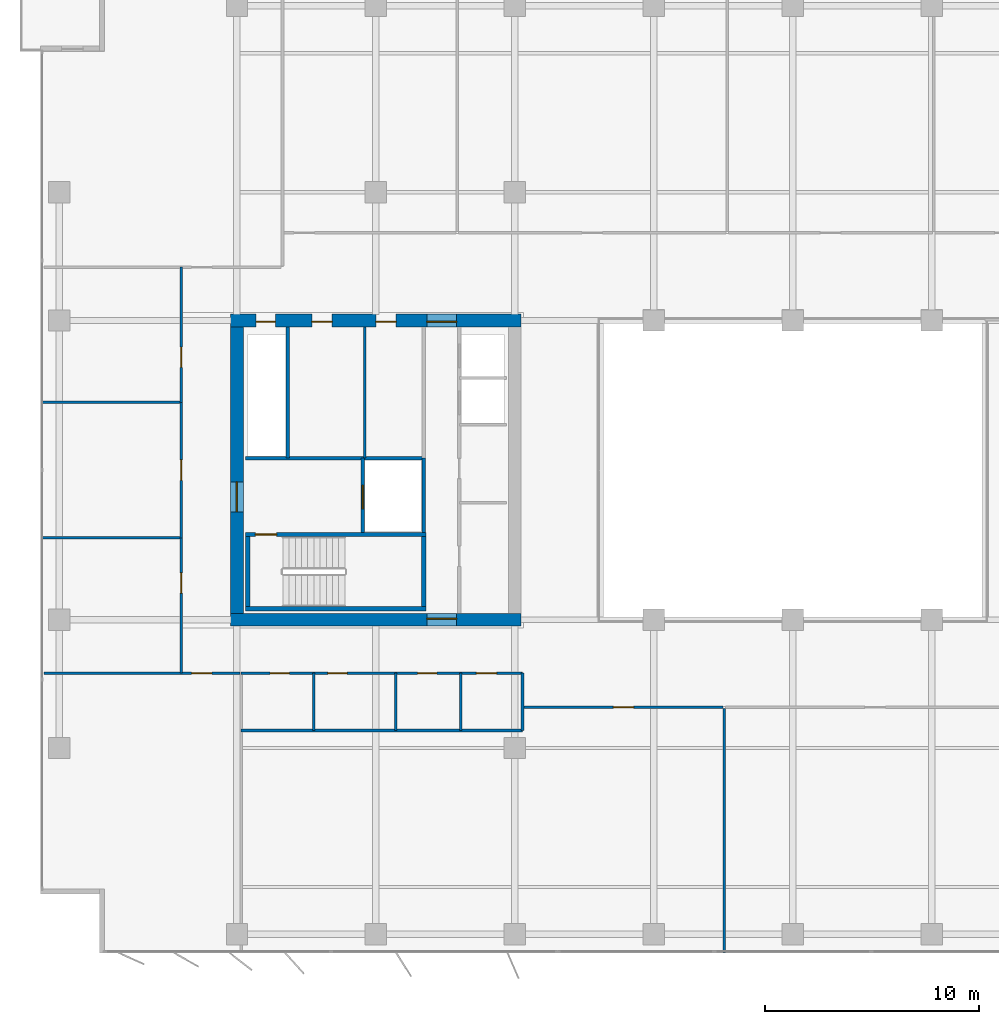
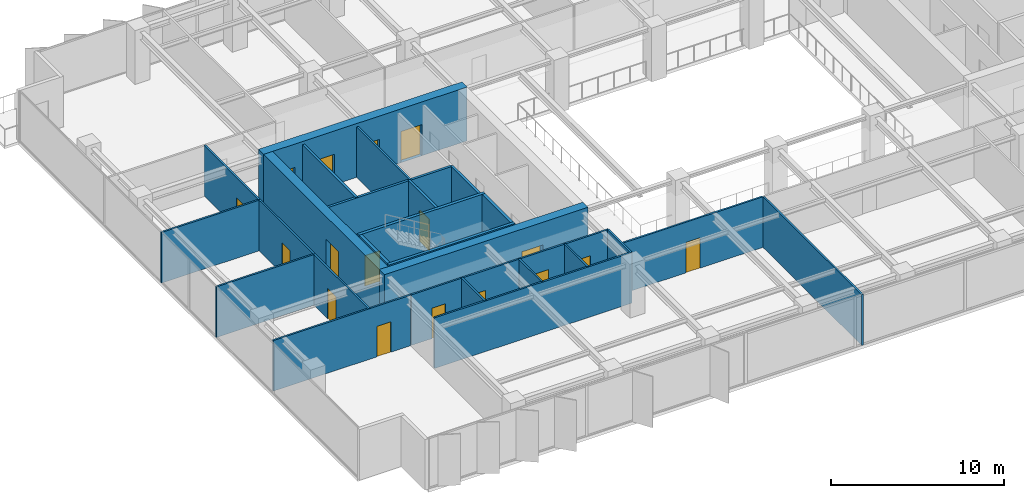
# One storey, part 15 of 22: 26 walls, 17 doors, 17 openings.
"""IFC4 building model written with IfcOpenShell, lengths in metres."""

from ifc_helpers import new_model, si_unit, direction, frame, frame_2d, origin, place, context, subcontext, project, spatial, rectangle, extrude, material, layer, layer_set, type_object, element, fill, save


model = new_model("IFC4")

# Units and contexts
model_context = context("Model", 3, precision=1e-05, world=origin(), true_north=direction((0.0, 1.0)))
body_context = subcontext(model_context, "Body", "Model", "MODEL_VIEW")
ifc_project = project(units=[si_unit("LENGTHUNIT", "METRE"), si_unit("AREAUNIT", "SQUARE_METRE"), si_unit("VOLUMEUNIT", "CUBIC_METRE"), si_unit("PLANEANGLEUNIT", "RADIAN"), si_unit("MASSUNIT", "GRAM", prefix="KILO")], contexts=[model_context])

# Site, building, storey
site_placement = place(None, origin())
site = spatial("IfcSite", under=ifc_project, at=site_placement, CompositionType="ELEMENT")
building_placement = place(site_placement, origin())
building = spatial("IfcBuilding", under=site, at=building_placement, Name="Putna Gate Headquarters", CompositionType="ELEMENT")
storey_placement = place(building_placement, frame((0.0, 0.0, 155.60009765625)))
storey = spatial("IfcBuildingStorey", under=building, at=storey_placement, Name="L38", CompositionType="ELEMENT", Elevation=155.60009765625)

# Wall, opening, door
ifc_material_1 = material(Name="Concrete C50/60", Category="concrete")
ifc_layer_1 = layer(ifc_material_1, 0.60009765625)
ifc_layer_set_1 = layer_set([ifc_layer_1], Name="Concrete C50/60")
wall_type_1 = type_object("IfcWallType", Name="WALL-CORE-600", PredefinedType="SHEAR", material=ifc_layer_set_1)
wall_1_placement = place(storey_placement, frame((12.699951171875, 19.0, 0.0), z_axis=(0.0, 0.0, 1.0), x_axis=(1.0, 0.0, 0.0)))
wall_1 = element("IfcWall", 1, at=wall_1_placement, inside=storey, type_object=wall_type_1, Name="L38 WC Split Core Shear Wall S", PredefinedType="SHEAR", context=body_context, shape_type="SweptSolid", body=[
    extrude(rectangle(XDim=13.60009765625, YDim=0.60009765625, at=frame_2d((6.800048828125, 0.0))), origin(), (0.0, 0.0, 1.0), 3.7998046875),
])
opening_1_placement = place(wall_1_placement, frame((9.179931640625, 0.0, 0.0)))
opening_1 = element("IfcOpeningElement", 2, at=opening_1_placement, cuts=wall_1, Name="Opening FDD-140", PredefinedType="OPENING", context=body_context, shape_type="SweptSolid", body=[
    extrude(rectangle(XDim=1.39990234375, YDim=2.199951171875, at=frame_2d((0.699951171875, 1.10009765625))), frame((0.0, 0.31005859375, 0.0), z_axis=(0.0, -1.0, 0.0), x_axis=(1.0, 0.0, 0.0)), (0.0, 0.0, 1.0), 0.6201171875),
])
ifc_material_2 = material(Name="Double steel fire door", Category="steel")
door_type_1 = type_object("IfcDoorType", Name="DOOR-FIRE-DBL-1400", OperationType="DOUBLE_DOOR_SINGLE_SWING", PredefinedType="DOOR", material=ifc_material_2)
door_1_placement = place(opening_1_placement, origin())
door_1 = element("IfcDoor", 3, at=door_1_placement, inside=storey, type_object=door_type_1, Name="L38 West Lift Lobby South Door", OperationType="DOUBLE_DOOR_SINGLE_SWING", OverallHeight=2.199951171875, OverallWidth=1.39990234375, PredefinedType="DOOR", context=body_context, shape_type="SweptSolid", body=[
    extrude(rectangle(XDim=1.39990234375, YDim=2.199951171875, at=frame_2d((0.699951171875, 1.10009765625))), frame((0.0, 0.0751953125, 0.0), z_axis=(0.0, -1.0, 0.0), x_axis=(1.0, 0.0, 0.0)), (0.0, 0.0, 1.0), 0.050048828125),
])
fill(opening_1, door_1)

# Wall, openings, doors
wall_2_placement = place(storey_placement, frame((12.699951171875, 33.0, 0.0), z_axis=(0.0, 0.0, 1.0), x_axis=(1.0, 0.0, 0.0)))
wall_2 = element("IfcWall", 4, at=wall_2_placement, inside=storey, type_object=wall_type_1, Name="L38 WC Split Core Shear Wall N", PredefinedType="SHEAR", context=body_context, shape_type="SweptSolid", body=[
    extrude(rectangle(XDim=13.60009765625, YDim=0.60009765625, at=frame_2d((6.800048828125, 0.0))), origin(), (0.0, 0.0, 1.0), 3.7998046875),
])
opening_2_placement = place(wall_2_placement, frame((1.199951171875, 0.0, 0.0)))
opening_2 = element("IfcOpeningElement", 5, at=opening_2_placement, cuts=wall_2, Name="Opening RD-90", PredefinedType="OPENING", context=body_context, shape_type="SweptSolid", body=[
    extrude(rectangle(XDim=0.89990234375, YDim=2.14990234375, at=frame_2d((0.449951171875, 1.074951171875))), frame((0.0, 0.31005859375, 0.0), z_axis=(0.0, -1.0, 0.0), x_axis=(1.0, 0.0, 0.0)), (0.0, 0.0, 1.0), 0.6201171875),
])
opening_3_placement = place(wall_2_placement, frame((3.800048828125, 0.0, 0.0)))
opening_3 = element("IfcOpeningElement", 6, at=opening_3_placement, cuts=wall_2, Name="Opening IDS-95", PredefinedType="OPENING", context=body_context, shape_type="SweptSolid", body=[
    extrude(rectangle(XDim=0.949951171875, YDim=2.14990234375, at=frame_2d((0.47509765625, 1.074951171875))), frame((0.0, 0.31005859375, 0.0), z_axis=(0.0, -1.0, 0.0), x_axis=(1.0, 0.0, 0.0)), (0.0, 0.0, 1.0), 0.6201171875),
])
opening_4_placement = place(wall_2_placement, frame((6.800048828125, 0.0, 0.0)))
opening_4 = element("IfcOpeningElement", 7, at=opening_4_placement, cuts=wall_2, Name="Opening IDS-95", PredefinedType="OPENING", context=body_context, shape_type="SweptSolid", body=[
    extrude(rectangle(XDim=0.949951171875, YDim=2.14990234375, at=frame_2d((0.47509765625, 1.074951171875))), frame((0.0, 0.31005859375, 0.0), z_axis=(0.0, -1.0, 0.0), x_axis=(1.0, 0.0, 0.0)), (0.0, 0.0, 1.0), 0.6201171875),
])
opening_5_placement = place(wall_2_placement, frame((9.179931640625, 0.0, 0.0)))
opening_5 = element("IfcOpeningElement", 8, at=opening_5_placement, cuts=wall_2, Name="Opening FDD-140", PredefinedType="OPENING", context=body_context, shape_type="SweptSolid", body=[
    extrude(rectangle(XDim=1.39990234375, YDim=2.199951171875, at=frame_2d((0.699951171875, 1.10009765625))), frame((0.0, 0.31005859375, 0.0), z_axis=(0.0, -1.0, 0.0), x_axis=(1.0, 0.0, 0.0)), (0.0, 0.0, 1.0), 0.6201171875),
])
door_2_placement = place(opening_5_placement, origin())
door_2 = element("IfcDoor", 9, at=door_2_placement, inside=storey, type_object=door_type_1, Name="L38 West Lift Lobby North Door", OperationType="DOUBLE_DOOR_SINGLE_SWING", OverallHeight=2.199951171875, OverallWidth=1.39990234375, PredefinedType="DOOR", context=body_context, shape_type="SweptSolid", body=[
    extrude(rectangle(XDim=1.39990234375, YDim=2.199951171875, at=frame_2d((0.699951171875, 1.10009765625))), frame((0.0, -0.02490234375, 0.0), z_axis=(0.0, -1.0, 0.0), x_axis=(1.0, 0.0, 0.0)), (0.0, 0.0, 1.0), 0.050048828125),
])
fill(opening_5, door_2)
ifc_material_3 = material(Name="Fire-rated service timber door", Category="wood")
door_type_2 = type_object("IfcDoorType", Name="DOOR-INT-950", OperationType="NOTDEFINED", PredefinedType="DOOR", material=ifc_material_3)
door_3_placement = place(opening_3_placement, origin())
door_3 = element("IfcDoor", 10, at=door_3_placement, inside=storey, type_object=door_type_2, Name="L38 Cleaner Store Door", OperationType="SINGLE_SWING_LEFT", OverallHeight=2.14990234375, OverallWidth=0.949951171875, PredefinedType="DOOR", context=body_context, shape_type="SweptSolid", body=[
    extrude(rectangle(XDim=0.949951171875, YDim=2.14990234375, at=frame_2d((0.47509765625, 1.074951171875))), frame((0.0, -0.02490234375, 0.0), z_axis=(0.0, -1.0, 0.0), x_axis=(1.0, 0.0, 0.0)), (0.0, 0.0, 1.0), 0.050048828125),
])
fill(opening_3, door_3)
door_4_placement = place(opening_4_placement, origin())
door_4 = element("IfcDoor", 11, at=door_4_placement, inside=storey, type_object=door_type_2, Name="L38 Comms Plant Door", OperationType="SINGLE_SWING_RIGHT", OverallHeight=2.14990234375, OverallWidth=0.949951171875, PredefinedType="DOOR", context=body_context, shape_type="SweptSolid", body=[
    extrude(rectangle(XDim=0.949951171875, YDim=2.14990234375, at=frame_2d((0.47509765625, 1.074951171875))), frame((0.0, -0.02490234375, 0.0), z_axis=(0.0, -1.0, 0.0), x_axis=(1.0, 0.0, 0.0)), (0.0, 0.0, 1.0), 0.050048828125),
])
fill(opening_4, door_4)
ifc_material_4 = material(Name="Steel riser access fire door", Category="steel")
door_type_3 = type_object("IfcDoorType", Name="DOOR-RISER-900", OperationType="NOTDEFINED", PredefinedType="DOOR", material=ifc_material_4)
door_5_placement = place(opening_2_placement, origin())
door_5 = element("IfcDoor", 12, at=door_5_placement, inside=storey, type_object=door_type_3, Name="L38 West Riser Access Door", OperationType="SINGLE_SWING_RIGHT", OverallHeight=2.14990234375, OverallWidth=0.89990234375, PredefinedType="DOOR", context=body_context, shape_type="SweptSolid", body=[
    extrude(rectangle(XDim=0.89990234375, YDim=2.14990234375, at=frame_2d((0.449951171875, 1.074951171875))), frame((0.0, -0.02490234375, 0.0), z_axis=(0.0, -1.0, 0.0), x_axis=(1.0, 0.0, 0.0)), (0.0, 0.0, 1.0), 0.050048828125),
])
fill(opening_2, door_5)

# Wall, opening, door
wall_3_placement = place(storey_placement, frame((13.0, 19.300048828125, 0.0), z_axis=(0.0, 0.0, 1.0), x_axis=(0.0, 1.0, 0.0)))
wall_3 = element("IfcWall", 13, at=wall_3_placement, inside=storey, type_object=wall_type_1, Name="L38 WC Split Core Shear Wall W", PredefinedType="SHEAR", context=body_context, shape_type="SweptSolid", body=[
    extrude(rectangle(XDim=13.39990234375, YDim=0.60009765625, at=frame_2d((6.699951171875, 0.0))), origin(), (0.0, 0.0, 1.0), 3.7998046875),
])
opening_6_placement = place(wall_3_placement, frame((4.75, 0.0, 0.0)))
opening_6 = element("IfcOpeningElement", 14, at=opening_6_placement, cuts=wall_3, Name="Opening FDD-140", PredefinedType="OPENING", context=body_context, shape_type="SweptSolid", body=[
    extrude(rectangle(XDim=1.39990234375, YDim=2.199951171875, at=frame_2d((0.699951171875, 1.10009765625))), frame((0.0, 0.31005859375, 0.0), z_axis=(0.0, -1.0, 0.0), x_axis=(1.0, 0.0, 0.0)), (0.0, 0.0, 1.0), 0.6201171875),
])
door_6_placement = place(opening_6_placement, origin())
door_6 = element("IfcDoor", 15, at=door_6_placement, inside=storey, type_object=door_type_1, Name="L38 West Firefighting Lobby Door", OperationType="DOUBLE_DOOR_SINGLE_SWING", OverallHeight=2.199951171875, OverallWidth=1.39990234375, PredefinedType="DOOR", context=body_context, shape_type="SweptSolid", body=[
    extrude(rectangle(XDim=1.39990234375, YDim=2.199951171875, at=frame_2d((0.699951171875, 1.10009765625))), frame((0.0, 0.02490234375, 0.0), z_axis=(0.0, -1.0, 0.0), x_axis=(1.0, 0.0, 0.0)), (0.0, 0.0, 1.0), 0.050048828125),
])
fill(opening_6, door_6)

# Walls
ifc_material_5 = material(Name="Acoustic gypsum board on metal stud")
ifc_layer_2 = layer(ifc_material_5, 0.1201171875)
ifc_layer_set_2 = layer_set([ifc_layer_2], Name="Acoustic gypsum board on metal stud")
wall_type_2 = type_object("IfcWallType", Name="WALL-PART-120", PredefinedType="PARTITIONING", material=ifc_layer_set_2)
wall_4_placement = place(storey_placement, frame((35.800048828125, 3.419921875, 0.0), z_axis=(0.0, 0.0, 1.0), x_axis=(0.0, 1.0, 0.0)))
element("IfcWall", 16, at=wall_4_placement, inside=storey, type_object=wall_type_2, Name="L38 Interior Wall PART-L38-SB-DIV-02", PredefinedType="PARTITIONING", context=body_context, shape_type="SweptSolid", body=[
    extrude(rectangle(XDim=11.420166015625, YDim=0.1201171875, at=frame_2d((5.7099609375, 0.0))), origin(), (0.0, 0.0, 1.0), 3.572021484375),
])
for number, where, z_axis, x_axis, name in (
    (17, (3.820068359375, 22.833251953125, 0.0), (0.0, 0.0, 1.0), (1.0, 0.0, 0.0), "L38 Interior Wall PART-L38-WW-DIV-1"),
    (18, (3.820068359375, 29.166748046875, 0.0), (0.0, 0.0, 1.0), (1.0, 0.0, 0.0), "L38 Interior Wall PART-L38-WW-DIV-2"),
):
    element("IfcWall", number, at=place(storey_placement, frame(where, z_axis=z_axis, x_axis=x_axis)), inside=storey, type_object=wall_type_2, Name=name, PredefinedType="PARTITIONING", context=body_context, shape_type="SweptSolid", body=[
        extrude(rectangle(XDim=6.579833984375, YDim=0.1201171875, at=frame_2d((3.2900390625, 0.0))), origin(), (0.0, 0.0, 1.0), 3.572021484375),
    ])
ifc_material_6 = material(Name="Fire-rated gypsum board on metal stud")
ifc_layer_3 = layer(ifc_material_6, 0.1201171875)
ifc_layer_set_3 = layer_set([ifc_layer_3], Name="Fire-rated gypsum board on metal stud")
wall_type_3 = type_object("IfcWallType", Name="WALL-PART-120-RATED", PredefinedType="PARTITIONING", material=ifc_layer_set_3)
wall_5_placement = place(storey_placement, frame((18.969970703125, 26.56005859375, 0.0), z_axis=(0.0, 0.0, 1.0), x_axis=(0.0, 1.0, 0.0)))
element("IfcWall", 19, at=wall_5_placement, inside=storey, type_object=wall_type_3, Name="L38 Interior Wall CWINT-L38-WC-K0-DIV", PredefinedType="PARTITIONING", context=body_context, shape_type="SweptSolid", body=[
    extrude(rectangle(XDim=6.139892578125, YDim=0.1201171875, at=frame_2d((3.06982421875, 0.0))), origin(), (0.0, 0.0, 1.0), 3.572021484375),
])

# Wall, openings, doors
wall_6_placement = place(storey_placement, frame((13.199951171875, 16.5, 0.0), z_axis=(0.0, 0.0, 1.0), x_axis=(1.0, 0.0, 0.0)))
wall_6 = element("IfcWall", 20, at=wall_6_placement, inside=storey, type_object=wall_type_3, Name="L38 Interior Wall PART-L38-SAN-CW", PredefinedType="PARTITIONING", context=body_context, shape_type="SweptSolid", body=[
    extrude(rectangle(XDim=13.16015625, YDim=0.1201171875, at=frame_2d((6.580078125, 0.0))), origin(), (0.0, 0.0, 1.0), 3.572021484375),
])
opening_7_placement = place(wall_6_placement, frame((1.35009765625, 0.0, 0.0)))
opening_7 = element("IfcOpeningElement", 21, at=opening_7_placement, cuts=wall_6, Name="Opening FD-90", PredefinedType="OPENING", context=body_context, shape_type="SweptSolid", body=[
    extrude(rectangle(XDim=0.89990234375, YDim=2.14990234375, at=frame_2d((0.449951171875, 1.074951171875))), frame((0.0, 0.070068359375, 0.0), z_axis=(0.0, -1.0, 0.0), x_axis=(1.0, 0.0, 0.0)), (0.0, 0.0, 1.0), 0.14013671875),
])
opening_8_placement = place(wall_6_placement, frame((4.050048828125, 0.0, 0.0)))
opening_8 = element("IfcOpeningElement", 22, at=opening_8_placement, cuts=wall_6, Name="Opening FD-90", PredefinedType="OPENING", context=body_context, shape_type="SweptSolid", body=[
    extrude(rectangle(XDim=0.89990234375, YDim=2.14990234375, at=frame_2d((0.449951171875, 1.074951171875))), frame((0.0, 0.070068359375, 0.0), z_axis=(0.0, -1.0, 0.0), x_axis=(1.0, 0.0, 0.0)), (0.0, 0.0, 1.0), 0.14013671875),
])
opening_9_placement = place(wall_6_placement, frame((8.25, 0.0, 0.0)))
opening_9 = element("IfcOpeningElement", 23, at=opening_9_placement, cuts=wall_6, Name="Opening FD-90", PredefinedType="OPENING", context=body_context, shape_type="SweptSolid", body=[
    extrude(rectangle(XDim=0.89990234375, YDim=2.14990234375, at=frame_2d((0.449951171875, 1.074951171875))), frame((0.0, 0.070068359375, 0.0), z_axis=(0.0, -1.0, 0.0), x_axis=(1.0, 0.0, 0.0)), (0.0, 0.0, 1.0), 0.14013671875),
])
opening_10_placement = place(wall_6_placement, frame((11.0, 0.0, 0.0)))
opening_10 = element("IfcOpeningElement", 24, at=opening_10_placement, cuts=wall_6, Name="Opening FD-95", PredefinedType="OPENING", context=body_context, shape_type="SweptSolid", body=[
    extrude(rectangle(XDim=0.949951171875, YDim=2.14990234375, at=frame_2d((0.47509765625, 1.074951171875))), frame((0.0, 0.070068359375, 0.0), z_axis=(0.0, -1.0, 0.0), x_axis=(1.0, 0.0, 0.0)), (0.0, 0.0, 1.0), 0.14013671875),
])
ifc_material_7 = material(Name="Acoustic washroom fire door")
door_type_4 = type_object("IfcDoorType", Name="DOOR-FIRE-900", OperationType="NOTDEFINED", PredefinedType="DOOR", material=ifc_material_7)
door_7_placement = place(opening_7_placement, origin())
door_7 = element("IfcDoor", 25, at=door_7_placement, inside=storey, type_object=door_type_4, Name="L38 Washroom Male Door", OperationType="SINGLE_SWING_RIGHT", OverallHeight=2.14990234375, OverallWidth=0.89990234375, PredefinedType="DOOR", context=body_context, shape_type="SweptSolid", body=[
    extrude(rectangle(XDim=0.89990234375, YDim=2.14990234375, at=frame_2d((0.449951171875, 1.074951171875))), frame((0.0, 0.02490234375, 0.0), z_axis=(0.0, -1.0, 0.0), x_axis=(1.0, 0.0, 0.0)), (0.0, 0.0, 1.0), 0.050048828125),
])
fill(opening_7, door_7)
door_8_placement = place(opening_8_placement, origin())
door_8 = element("IfcDoor", 26, at=door_8_placement, inside=storey, type_object=door_type_4, Name="L38 Washroom Female Door", OperationType="SINGLE_SWING_LEFT", OverallHeight=2.14990234375, OverallWidth=0.89990234375, PredefinedType="DOOR", context=body_context, shape_type="SweptSolid", body=[
    extrude(rectangle(XDim=0.89990234375, YDim=2.14990234375, at=frame_2d((0.449951171875, 1.074951171875))), frame((0.0, 0.02490234375, 0.0), z_axis=(0.0, -1.0, 0.0), x_axis=(1.0, 0.0, 0.0)), (0.0, 0.0, 1.0), 0.050048828125),
])
fill(opening_8, door_8)
door_9_placement = place(opening_9_placement, origin())
door_9 = element("IfcDoor", 27, at=door_9_placement, inside=storey, type_object=door_type_4, Name="L38 Accessible WC Door", OperationType="SINGLE_SWING_RIGHT", OverallHeight=2.14990234375, OverallWidth=0.89990234375, PredefinedType="DOOR", context=body_context, shape_type="SweptSolid", body=[
    extrude(rectangle(XDim=0.89990234375, YDim=2.14990234375, at=frame_2d((0.449951171875, 1.074951171875))), frame((0.0, 0.02490234375, 0.0), z_axis=(0.0, -1.0, 0.0), x_axis=(1.0, 0.0, 0.0)), (0.0, 0.0, 1.0), 0.050048828125),
])
fill(opening_9, door_9)
ifc_material_8 = material(Name="Acoustic timber fire door", Category="wood")
door_type_5 = type_object("IfcDoorType", Name="DOOR-FIRE-950", OperationType="NOTDEFINED", PredefinedType="DOOR", material=ifc_material_8)
door_10_placement = place(opening_10_placement, origin())
door_10 = element("IfcDoor", 28, at=door_10_placement, inside=storey, type_object=door_type_5, Name="L38 Staff Pantry and Tea Point Door", OperationType="SINGLE_SWING_LEFT", OverallHeight=2.14990234375, OverallWidth=0.949951171875, PredefinedType="DOOR", context=body_context, shape_type="SweptSolid", body=[
    extrude(rectangle(XDim=0.949951171875, YDim=2.14990234375, at=frame_2d((0.47509765625, 1.074951171875))), frame((0.0, 0.02490234375, 0.0), z_axis=(0.0, -1.0, 0.0), x_axis=(1.0, 0.0, 0.0)), (0.0, 0.0, 1.0), 0.050048828125),
])
fill(opening_10, door_10)

# Walls
wall_7_placement = place(storey_placement, frame((13.199951171875, 13.820068359375, 0.0), z_axis=(0.0, 0.0, 1.0), x_axis=(1.0, 0.0, 0.0)))
element("IfcWall", 29, at=wall_7_placement, inside=storey, type_object=wall_type_3, Name="L38 Interior Wall PART-L38-SAN-BACK", PredefinedType="PARTITIONING", context=body_context, shape_type="SweptSolid", body=[
    extrude(rectangle(XDim=13.16015625, YDim=0.1201171875, at=frame_2d((6.580078125, 0.0))), origin(), (0.0, 0.0, 1.0), 3.572021484375),
])
for number, where, z_axis, x_axis, name in (
    (30, (16.60009765625, 13.820068359375, 0.0), (0.0, 0.0, 1.0), (0.0, 1.0, 0.0), "L38 Interior Wall PART-L38-SAN-DIV-1"),
    (31, (20.419921875, 13.820068359375, 0.0), (0.0, 0.0, 1.0), (0.0, 1.0, 0.0), "L38 Interior Wall PART-L38-SAN-DIV-2"),
    (32, (23.4599609375, 13.820068359375, 0.0), (0.0, 0.0, 1.0), (0.0, 1.0, 0.0), "L38 Interior Wall PART-L38-SAN-DIV-3"),
    (33, (26.360107421875, 13.820068359375, 0.0), (0.0, 0.0, 1.0), (0.0, 1.0, 0.0), "L38 Interior Wall PART-L38-SAN-DIV-4"),
):
    element("IfcWall", number, at=place(storey_placement, frame(where, z_axis=z_axis, x_axis=x_axis)), inside=storey, type_object=wall_type_3, Name=name, PredefinedType="PARTITIONING", context=body_context, shape_type="SweptSolid", body=[
        extrude(rectangle(XDim=2.679931640625, YDim=0.1201171875, at=frame_2d((1.33984375, 0.0))), origin(), (0.0, 0.0, 1.0), 3.572021484375),
    ])

# Wall, opening, door
wall_8_placement = place(storey_placement, frame((3.97998046875, 16.5, 0.0), z_axis=(0.0, 0.0, 1.0), x_axis=(1.0, 0.0, 0.0)))
wall_8 = element("IfcWall", 34, at=wall_8_placement, inside=storey, type_object=wall_type_3, Name="L38 Interior Wall PART-L38-SB-CW-01", PredefinedType="PARTITIONING", context=body_context, shape_type="SweptSolid", body=[
    extrude(rectangle(XDim=9.159912109375, YDim=0.1201171875, at=frame_2d((4.580078125, 0.0))), origin(), (0.0, 0.0, 1.0), 3.572021484375),
])
opening_11_placement = place(wall_8_placement, frame((6.89990234375, 0.0, 0.0)))
opening_11 = element("IfcOpeningElement", 35, at=opening_11_placement, cuts=wall_8, Name="Opening FD-95", PredefinedType="OPENING", context=body_context, shape_type="SweptSolid", body=[
    extrude(rectangle(XDim=0.949951171875, YDim=2.14990234375, at=frame_2d((0.47509765625, 1.074951171875))), frame((0.0, 0.070068359375, 0.0), z_axis=(0.0, -1.0, 0.0), x_axis=(1.0, 0.0, 0.0)), (0.0, 0.0, 1.0), 0.14013671875),
])
door_11_placement = place(opening_11_placement, origin())
door_11 = element("IfcDoor", 36, at=door_11_placement, inside=storey, type_object=door_type_5, Name="L38 Cellular Office 3 Door", OperationType="SINGLE_SWING_LEFT", OverallHeight=2.14990234375, OverallWidth=0.949951171875, PredefinedType="DOOR", context=body_context, shape_type="SweptSolid", body=[
    extrude(rectangle(XDim=0.949951171875, YDim=2.14990234375, at=frame_2d((0.47509765625, 1.074951171875))), frame((0.0, 0.02490234375, 0.0), z_axis=(0.0, -1.0, 0.0), x_axis=(1.0, 0.0, 0.0)), (0.0, 0.0, 1.0), 0.050048828125),
])
fill(opening_11, door_11)

wall_9_placement = place(storey_placement, frame((26.419921875, 14.89990234375, 0.0), z_axis=(0.0, 0.0, 1.0), x_axis=(1.0, 0.0, 0.0)))
wall_9 = element("IfcWall", 37, at=wall_9_placement, inside=storey, type_object=wall_type_3, Name="L38 Interior Wall PART-L38-SB-CW-02", PredefinedType="PARTITIONING", context=body_context, shape_type="SweptSolid", body=[
    extrude(rectangle(XDim=9.320068359375, YDim=0.1201171875, at=frame_2d((4.66015625, 0.0))), origin(), (0.0, 0.0, 1.0), 3.572021484375),
])
opening_12_placement = place(wall_9_placement, frame((4.18505859375, 0.0, 0.0)))
opening_12 = element("IfcOpeningElement", 38, at=opening_12_placement, cuts=wall_9, Name="Opening FD-95", PredefinedType="OPENING", context=body_context, shape_type="SweptSolid", body=[
    extrude(rectangle(XDim=0.949951171875, YDim=2.14990234375, at=frame_2d((0.47509765625, 1.074951171875))), frame((0.0, 0.070068359375, 0.0), z_axis=(0.0, -1.0, 0.0), x_axis=(1.0, 0.0, 0.0)), (0.0, 0.0, 1.0), 0.14013671875),
])
door_12_placement = place(opening_12_placement, origin())
door_12 = element("IfcDoor", 39, at=door_12_placement, inside=storey, type_object=door_type_5, Name="L38 Primary Open Office Workplace Door", OperationType="SINGLE_SWING_RIGHT", OverallHeight=2.14990234375, OverallWidth=0.949951171875, PredefinedType="DOOR", context=body_context, shape_type="SweptSolid", body=[
    extrude(rectangle(XDim=0.949951171875, YDim=2.14990234375, at=frame_2d((0.47509765625, 1.074951171875))), frame((0.0, 0.02490234375, 0.0), z_axis=(0.0, -1.0, 0.0), x_axis=(1.0, 0.0, 0.0)), (0.0, 0.0, 1.0), 0.050048828125),
])
fill(opening_12, door_12)

wall_10_placement = place(storey_placement, frame((10.39990234375, 16.5, 0.0), z_axis=(0.0, 0.0, 1.0), x_axis=(0.0, 1.0, 0.0)))
wall_10 = element("IfcWall", 40, at=wall_10_placement, inside=storey, type_object=wall_type_3, Name="L38 Interior Wall PART-L38-WW-CW-1", PredefinedType="PARTITIONING", context=body_context, shape_type="SweptSolid", body=[
    extrude(rectangle(XDim=6.333251953125, YDim=0.1201171875, at=frame_2d((3.16650390625, 0.0))), origin(), (0.0, 0.0, 1.0), 3.572021484375),
])
opening_13_placement = place(wall_10_placement, frame((3.74169921875, 0.0, 0.0)))
opening_13 = element("IfcOpeningElement", 41, at=opening_13_placement, cuts=wall_10, Name="Opening FD-95", PredefinedType="OPENING", context=body_context, shape_type="SweptSolid", body=[
    extrude(rectangle(XDim=0.949951171875, YDim=2.14990234375, at=frame_2d((0.47509765625, 1.074951171875))), frame((0.0, 0.070068359375, 0.0), z_axis=(0.0, -1.0, 0.0), x_axis=(1.0, 0.0, 0.0)), (0.0, 0.0, 1.0), 0.14013671875),
])
door_13_placement = place(opening_13_placement, origin())
door_13 = element("IfcDoor", 42, at=door_13_placement, inside=storey, type_object=door_type_5, Name="L38 West Executive Office 1 Door", OperationType="SINGLE_SWING_RIGHT", OverallHeight=2.14990234375, OverallWidth=0.949951171875, PredefinedType="DOOR", context=body_context, shape_type="SweptSolid", body=[
    extrude(rectangle(XDim=0.949951171875, YDim=2.14990234375, at=frame_2d((0.47509765625, 1.074951171875))), frame((0.0, 0.02490234375, 0.0), z_axis=(0.0, -1.0, 0.0), x_axis=(1.0, 0.0, 0.0)), (0.0, 0.0, 1.0), 0.050048828125),
])
fill(opening_13, door_13)

wall_11_placement = place(storey_placement, frame((10.39990234375, 22.833251953125, 0.0), z_axis=(0.0, 0.0, 1.0), x_axis=(0.0, 1.0, 0.0)))
wall_11 = element("IfcWall", 43, at=wall_11_placement, inside=storey, type_object=wall_type_3, Name="L38 Interior Wall PART-L38-WW-CW-2", PredefinedType="PARTITIONING", context=body_context, shape_type="SweptSolid", body=[
    extrude(rectangle(XDim=6.33349609375, YDim=0.1201171875, at=frame_2d((3.166748046875, 0.0))), origin(), (0.0, 0.0, 1.0), 3.572021484375),
])
opening_14_placement = place(wall_11_placement, frame((2.691650390625, 0.0, 0.0)))
opening_14 = element("IfcOpeningElement", 44, at=opening_14_placement, cuts=wall_11, Name="Opening FD-95", PredefinedType="OPENING", context=body_context, shape_type="SweptSolid", body=[
    extrude(rectangle(XDim=0.949951171875, YDim=2.14990234375, at=frame_2d((0.47509765625, 1.074951171875))), frame((0.0, 0.070068359375, 0.0), z_axis=(0.0, -1.0, 0.0), x_axis=(1.0, 0.0, 0.0)), (0.0, 0.0, 1.0), 0.14013671875),
])
door_14_placement = place(opening_14_placement, origin())
door_14 = element("IfcDoor", 45, at=door_14_placement, inside=storey, type_object=door_type_5, Name="L38 West Executive Office 2 Door", OperationType="SINGLE_SWING_LEFT", OverallHeight=2.14990234375, OverallWidth=0.949951171875, PredefinedType="DOOR", context=body_context, shape_type="SweptSolid", body=[
    extrude(rectangle(XDim=0.949951171875, YDim=2.14990234375, at=frame_2d((0.47509765625, 1.074951171875))), frame((0.0, 0.02490234375, 0.0), z_axis=(0.0, -1.0, 0.0), x_axis=(1.0, 0.0, 0.0)), (0.0, 0.0, 1.0), 0.050048828125),
])
fill(opening_14, door_14)

wall_12_placement = place(storey_placement, frame((10.39990234375, 29.166748046875, 0.0), z_axis=(0.0, 0.0, 1.0), x_axis=(0.0, 1.0, 0.0)))
wall_12 = element("IfcWall", 46, at=wall_12_placement, inside=storey, type_object=wall_type_3, Name="L38 Interior Wall PART-L38-WW-CW-3", PredefinedType="PARTITIONING", context=body_context, shape_type="SweptSolid", body=[
    extrude(rectangle(XDim=6.333251953125, YDim=0.1201171875, at=frame_2d((3.16650390625, 0.0))), origin(), (0.0, 0.0, 1.0), 3.572021484375),
])
opening_15_placement = place(wall_12_placement, frame((1.6416015625, 0.0, 0.0)))
opening_15 = element("IfcOpeningElement", 47, at=opening_15_placement, cuts=wall_12, Name="Opening FD-95", PredefinedType="OPENING", context=body_context, shape_type="SweptSolid", body=[
    extrude(rectangle(XDim=0.949951171875, YDim=2.14990234375, at=frame_2d((0.47509765625, 1.074951171875))), frame((0.0, 0.070068359375, 0.0), z_axis=(0.0, -1.0, 0.0), x_axis=(1.0, 0.0, 0.0)), (0.0, 0.0, 1.0), 0.14013671875),
])
door_15_placement = place(opening_15_placement, origin())
door_15 = element("IfcDoor", 48, at=door_15_placement, inside=storey, type_object=door_type_5, Name="L38 West Project Meeting Room 3 Door", OperationType="SINGLE_SWING_RIGHT", OverallHeight=2.14990234375, OverallWidth=0.949951171875, PredefinedType="DOOR", context=body_context, shape_type="SweptSolid", body=[
    extrude(rectangle(XDim=0.949951171875, YDim=2.14990234375, at=frame_2d((0.47509765625, 1.074951171875))), frame((0.0, 0.02490234375, 0.0), z_axis=(0.0, -1.0, 0.0), x_axis=(1.0, 0.0, 0.0)), (0.0, 0.0, 1.0), 0.050048828125),
])
fill(opening_15, door_15)

# Wall
ifc_material_9 = material(Name="Concrete C40/50", Category="concrete")
ifc_layer_4 = layer(ifc_material_9, 0.159912109375)
ifc_layer_set_4 = layer_set([ifc_layer_4], Name="Concrete C40/50")
wall_type_4 = type_object("IfcWallType", Name="WALL-SHAFT-160", PredefinedType="STANDARD", material=ifc_layer_set_4)
wall_13_placement = place(storey_placement, frame((21.739990234375, 23.090087890625, 0.0), z_axis=(0.0, 0.0, 1.0), x_axis=(0.0, 1.0, 0.0)))
element("IfcWall", 49, at=wall_13_placement, inside=storey, type_object=wall_type_4, Name="L38 Interior Wall CWINT-L38-WC-FFL-E", PredefinedType="STANDARD", context=body_context, shape_type="SweptSolid", body=[
    extrude(rectangle(XDim=3.469970703125, YDim=0.159912109375, at=frame_2d((1.73486328125, 0.0))), origin(), (0.0, 0.0, 1.0), 3.572021484375),
])

# Wall, opening, door
wall_14_placement = place(storey_placement, frame((18.8798828125, 23.090087890625, 0.0), z_axis=(0.0, 0.0, 1.0), x_axis=(0.0, 1.0, 0.0)))
wall_14 = element("IfcWall", 50, at=wall_14_placement, inside=storey, type_object=wall_type_4, Name="L38 Interior Wall CWINT-L38-WC-LF13-W", PredefinedType="STANDARD", context=body_context, shape_type="SweptSolid", body=[
    extrude(rectangle(XDim=3.469970703125, YDim=0.159912109375, at=frame_2d((1.73486328125, 0.0))), origin(), (0.0, 0.0, 1.0), 3.572021484375),
])
opening_16_placement = place(wall_14_placement, frame((1.10009765625, 0.0, 0.0)))
opening_16 = element("IfcOpeningElement", 51, at=opening_16_placement, cuts=wall_14, Name="Opening LD-1", PredefinedType="OPENING", context=body_context, shape_type="SweptSolid", body=[
    extrude(rectangle(XDim=1.10009765625, YDim=2.199951171875, at=frame_2d((0.550048828125, 1.10009765625))), frame((0.0, 0.08984375, 0.0), z_axis=(0.0, -1.0, 0.0), x_axis=(1.0, 0.0, 0.0)), (0.0, 0.0, 1.0), 0.179931640625),
])
ifc_material_10 = material(Name="Brushed bronze stainless lift landing door")
door_type_6 = type_object("IfcDoorType", Name="DOOR-LIFT-1100", OperationType="DOUBLE_DOOR_SLIDING", PredefinedType="DOOR", material=ifc_material_10)
door_16_placement = place(opening_16_placement, origin())
door_16 = element("IfcDoor", 52, at=door_16_placement, inside=storey, type_object=door_type_6, Name="L38 Lift Landing Door LD-13", OperationType="DOUBLE_DOOR_SLIDING", OverallHeight=2.199951171875, OverallWidth=1.10009765625, PredefinedType="DOOR", context=body_context, shape_type="SweptSolid", body=[
    extrude(rectangle(XDim=1.10009765625, YDim=2.199951171875, at=frame_2d((0.550048828125, 1.10009765625))), frame((0.0, 0.02490234375, 0.0), z_axis=(0.0, -1.0, 0.0), x_axis=(1.0, 0.0, 0.0)), (0.0, 0.0, 1.0), 0.050048828125),
])
fill(opening_16, door_16)

# Walls
wall_15_placement = place(storey_placement, frame((13.39990234375, 26.56005859375, 0.0), z_axis=(0.0, 0.0, 1.0), x_axis=(1.0, 0.0, 0.0)))
element("IfcWall", 53, at=wall_15_placement, inside=storey, type_object=wall_type_4, Name="L38 Interior Wall CWINT-L38-WC-FFL-N", PredefinedType="STANDARD", context=body_context, shape_type="SweptSolid", body=[
    extrude(rectangle(XDim=8.340087890625, YDim=0.159912109375, at=frame_2d((4.169921875, 0.0))), origin(), (0.0, 0.0, 1.0), 3.572021484375),
])
wall_16_placement = place(storey_placement, frame((15.3798828125, 26.56005859375, 0.0), z_axis=(0.0, 0.0, 1.0), x_axis=(0.0, 1.0, 0.0)))
element("IfcWall", 54, at=wall_16_placement, inside=storey, type_object=wall_type_4, Name="L38 Interior Wall CWINT-L38-WC-RISER-E", PredefinedType="STANDARD", context=body_context, shape_type="SweptSolid", body=[
    extrude(rectangle(XDim=6.139892578125, YDim=0.159912109375, at=frame_2d((3.06982421875, 0.0))), origin(), (0.0, 0.0, 1.0), 3.572021484375),
])
ifc_layer_5 = layer(ifc_material_9, 0.199951171875)
ifc_layer_set_5 = layer_set([ifc_layer_5], Name="Concrete C40/50")
wall_type_5 = type_object("IfcWallType", Name="WALL-SHAFT-RC200", PredefinedType="SHEAR", material=ifc_layer_set_5)
wall_17_placement = place(storey_placement, frame((13.409912109375, 19.510009765625, 0.0), z_axis=(0.0, 0.0, 1.0), x_axis=(1.0, 0.0, 0.0)))
element("IfcWall", 55, at=wall_17_placement, inside=storey, type_object=wall_type_5, Name="L38 Stair ST1 Structural Shaft Wall S", PredefinedType="SHEAR", context=body_context, shape_type="SweptSolid", body=[
    extrude(rectangle(XDim=8.43017578125, YDim=0.199951171875, at=frame_2d((4.215087890625, 0.0))), origin(), (0.0, 0.0, 1.0), 3.7998046875),
])

# Wall, opening, door
wall_18_placement = place(storey_placement, frame((13.409912109375, 22.989990234375, 0.0), z_axis=(0.0, 0.0, 1.0), x_axis=(1.0, 0.0, 0.0)))
wall_18 = element("IfcWall", 56, at=wall_18_placement, inside=storey, type_object=wall_type_5, Name="L38 Stair ST1 Structural Shaft Wall N", PredefinedType="SHEAR", context=body_context, shape_type="SweptSolid", body=[
    extrude(rectangle(XDim=8.43017578125, YDim=0.199951171875, at=frame_2d((4.215087890625, 0.0))), origin(), (0.0, 0.0, 1.0), 3.7998046875),
])
opening_17_placement = place(wall_18_placement, frame((0.449951171875, 0.0, 0.0)))
opening_17 = element("IfcOpeningElement", 57, at=opening_17_placement, cuts=wall_18, Name="Opening FD-100", PredefinedType="OPENING", context=body_context, shape_type="SweptSolid", body=[
    extrude(rectangle(XDim=1.0, YDim=2.14990234375, at=frame_2d((0.5, 1.074951171875))), frame((0.0, 0.10986328125, 0.0), z_axis=(0.0, -1.0, 0.0), x_axis=(1.0, 0.0, 0.0)), (0.0, 0.0, 1.0), 0.219970703125),
])
ifc_material_11 = material(Name="Powder-coated steel fire door", Category="steel")
door_type_7 = type_object("IfcDoorType", Name="DOOR-FIRE-1000", OperationType="NOTDEFINED", PredefinedType="DOOR", material=ifc_material_11)
door_17_placement = place(opening_17_placement, origin())
door_17 = element("IfcDoor", 58, at=door_17_placement, inside=storey, type_object=door_type_7, Name="L38 Stair ST1 Fire Door", OperationType="SINGLE_SWING_LEFT", OverallHeight=2.14990234375, OverallWidth=1.0, PredefinedType="DOOR", context=body_context, shape_type="SweptSolid", body=[
    extrude(rectangle(XDim=1.0, YDim=2.14990234375, at=frame_2d((0.5, 1.074951171875))), frame((0.0, 0.02490234375, 0.0), z_axis=(0.0, -1.0, 0.0), x_axis=(1.0, 0.0, 0.0)), (0.0, 0.0, 1.0), 0.050048828125),
])
fill(opening_17, door_17)

# Walls
for number, where, z_axis, x_axis, name in (
    (59, (13.510009765625, 19.610107421875, 0.0), (0.0, 0.0, 1.0), (0.0, 1.0, 0.0), "L38 Stair ST1 Structural Shaft Wall W"),
    (60, (21.739990234375, 19.610107421875, 0.0), (0.0, 0.0, 1.0), (0.0, 1.0, 0.0), "L38 Stair ST1 Structural Shaft Wall E"),
):
    element("IfcWall", number, at=place(storey_placement, frame(where, z_axis=z_axis, x_axis=x_axis)), inside=storey, type_object=wall_type_5, Name=name, PredefinedType="SHEAR", context=body_context, shape_type="SweptSolid", body=[
        extrude(rectangle(XDim=3.27978515625, YDim=0.199951171875, at=frame_2d((1.639892578125, 0.0))), origin(), (0.0, 0.0, 1.0), 3.7998046875),
    ])

save(model, "model.ifc")
